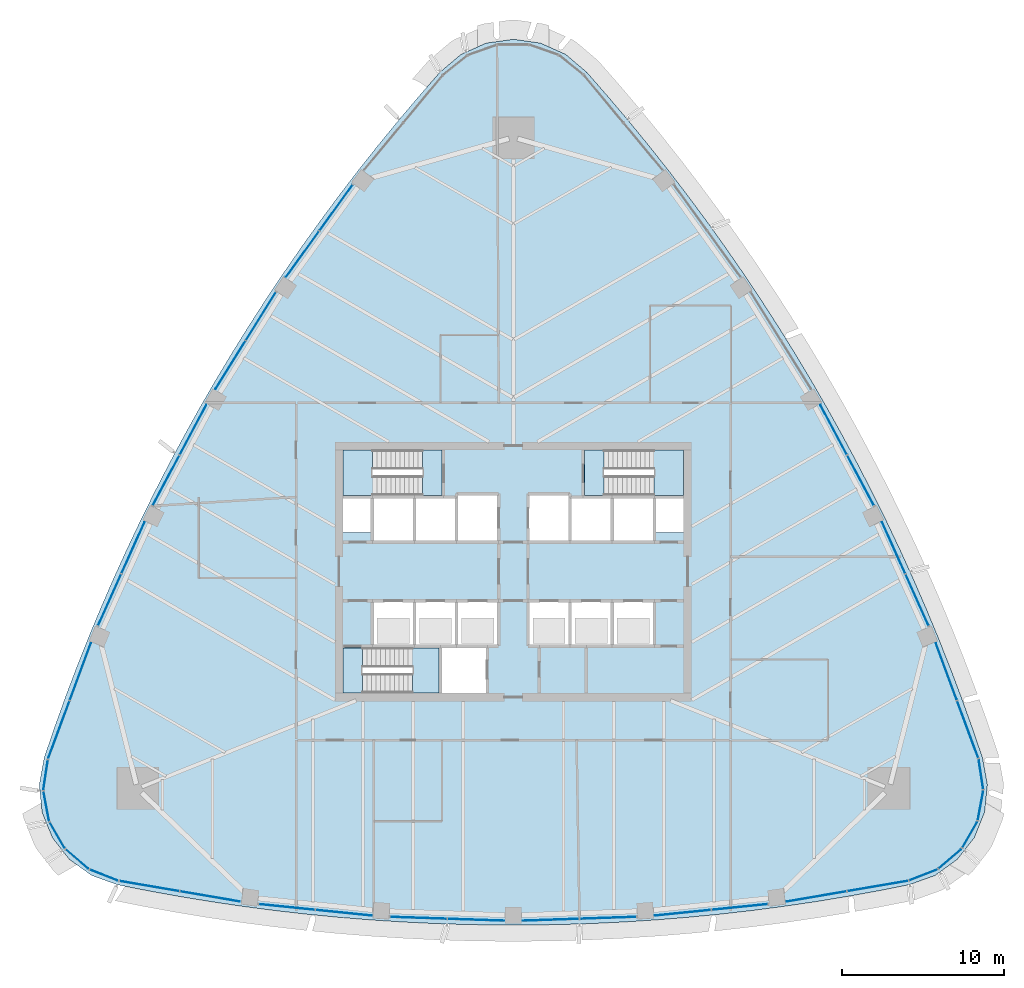
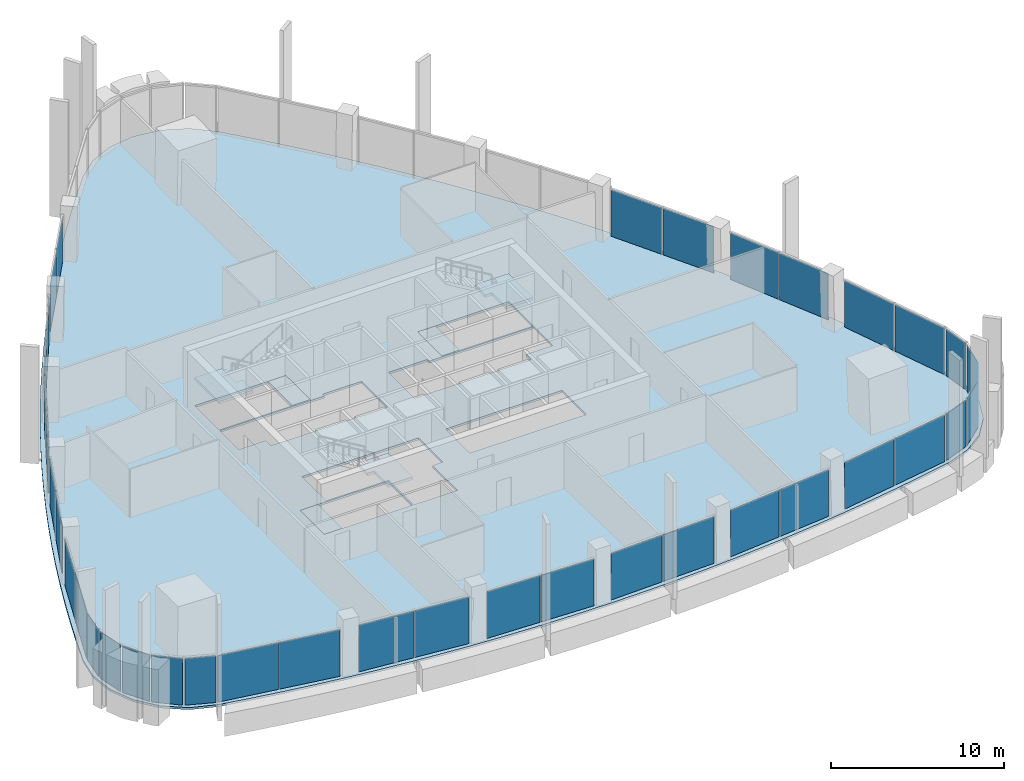
# One storey, part 8 of 19: 38 plates, 7 slabs, 27 elements without a shape of their own.
"""IFC4 building model written with IfcOpenShell, lengths in metres."""

import ifcopenshell
import ifcopenshell.guid

model = None  # the IFC model being written
_history = None  # IfcOwnerHistory: only IFC2X3 demands one
_inside = {}  # id of a spatial element -> (the spatial element, [elements in it])
_under = {}  # id of a project, library or spatial element -> (it, [spatial elements below it])
_declared = {}  # id of a project -> (the project, [libraries it declares])
_typed = {}  # id of a type object -> (the type object, [elements of that type])
_made_of = {}  # id of a material, layer set ... -> (it, [elements and type objects made of it])


def new_model(schema):
    """Start an empty IFC model of exactly this schema.

    Asked for "IFC4X3", IfcOpenShell would pick the latest addendum, in which some entities
    have other attributes; the version numbers below select the first issue.
    IFC2X3 requires an IfcOwnerHistory on every rooted entity: one is made here for all.
    """
    global model, _history
    if schema == "IFC4X3":
        model = ifcopenshell.file(schema_version=(4, 3, 0, 0))
    else:
        model = ifcopenshell.file(schema=schema)
    _inside.clear()
    _under.clear()
    _declared.clear()
    _typed.clear()
    _made_of.clear()
    _history = None
    if model.schema == "IFC2X3":
        org = make("IfcOrganization", Name="unknown")
        user = make(
            "IfcPersonAndOrganization",
            ThePerson=make("IfcPerson", FamilyName="unknown"),
            TheOrganization=org,
        )
        app = make(
            "IfcApplication",
            ApplicationDeveloper=org,
            Version="unknown",
            ApplicationFullName="unknown",
            ApplicationIdentifier="unknown",
        )
        _history = make(
            "IfcOwnerHistory",
            OwningUser=user,
            OwningApplication=app,
            ChangeAction="ADDED",
            CreationDate=0,
        )
    return model


def make(cls, **values):
    """One entity of the class cls with the attributes given. An attribute that is None is left unset."""
    return model.create_entity(
        cls, **{name: value for name, value in values.items() if value is not None}
    )


def rooted(cls, **values):
    """An entity with a GlobalId (a new one), such as an element, a storey or a relation."""
    return make(cls, GlobalId=ifcopenshell.guid.new(), OwnerHistory=_history, **values)


def si_unit(unit_type, name, prefix=None):
    """IfcSIUnit, for example si_unit("LENGTHUNIT", "METRE", prefix="MILLI")."""
    return make("IfcSIUnit", UnitType=unit_type, Prefix=prefix, Name=name)


def assignment(units):
    """IfcUnitAssignment: the units of a project."""
    return None if units is None else make("IfcUnitAssignment", Units=units)


def point(xyz):
    """IfcCartesianPoint."""
    return None if xyz is None else make("IfcCartesianPoint", Coordinates=xyz)


def direction(xyz):
    """IfcDirection."""
    return None if xyz is None else make("IfcDirection", DirectionRatios=xyz)


def frame(location, z_axis=None, x_axis=None):
    """IfcAxis2Placement3D, a coordinate frame: its origin and axes. An axis left out is left unset."""
    return make(
        "IfcAxis2Placement3D",
        Location=point(location),
        Axis=direction(z_axis),
        RefDirection=direction(x_axis),
    )


def frame_2d(location, x_axis=None):
    """IfcAxis2Placement2D, a coordinate frame in the plane: its origin and x axis."""
    return make(
        "IfcAxis2Placement2D", Location=point(location), RefDirection=direction(x_axis)
    )


def origin():
    """The frame at (0, 0, 0) with its axes left unset."""
    return frame((0.0, 0.0, 0.0))


def origin_2d():
    """The frame at (0, 0) in the plane with its x axis left unset."""
    return frame_2d((0.0, 0.0))


def place(relative_to, where):
    """IfcLocalPlacement: puts the frame where relative to a parent placement (None: the world)."""
    return make(
        "IfcLocalPlacement", PlacementRelTo=relative_to, RelativePlacement=where
    )


def context(
    kind, dimensions, precision=None, world=None, true_north=None, identifier=None
):
    """IfcGeometricRepresentationContext, for example the 3D "Model" context."""
    return make(
        "IfcGeometricRepresentationContext",
        ContextIdentifier=identifier,
        ContextType=kind,
        CoordinateSpaceDimension=dimensions,
        Precision=precision,
        WorldCoordinateSystem=world,
        TrueNorth=true_north,
    )


def subcontext(parent, identifier, kind, view, scale=None):
    """IfcGeometricRepresentationSubContext, for example "Body" below "Model"."""
    return make(
        "IfcGeometricRepresentationSubContext",
        ContextIdentifier=identifier,
        ContextType=kind,
        ParentContext=parent,
        TargetScale=scale,
        TargetView=view,
    )


def project(units=None, contexts=None):
    """IfcProject with its units and contexts."""
    return rooted(
        "IfcProject",
        Name="project",
        RepresentationContexts=contexts,
        UnitsInContext=assignment(units),
    )


def spatial(cls, under=None, at=None, **own):
    """A site, building, storey or space (cls), placed at a placement, below another one or the project."""
    s = rooted(cls, ObjectPlacement=at, **own)
    if under is not None:
        _under.setdefault(under.id(), (under, []))[1].append(s)
    return s


def polyline(points):
    """IfcPolyline through the points."""
    return make("IfcPolyline", Points=[point(p) for p in points])


def profile(cls, at=None, kind="AREA", **sizes):
    """A parametric profile (cls). Its sizes go by their IFC names, for example OverallWidth=200.0."""
    return make(cls, ProfileType=kind, Position=at, **sizes)


def rectangle(**sizes):
    """IfcRectangleProfileDef."""
    return profile("IfcRectangleProfileDef", **sizes)


def outline(outer, holes=None, kind="AREA"):
    """IfcArbitraryClosedProfileDef: a profile drawn as a closed curve; with holes, ...WithVoids."""
    if holes is None:
        return make("IfcArbitraryClosedProfileDef", ProfileType=kind, OuterCurve=outer)
    return make(
        "IfcArbitraryProfileDefWithVoids",
        ProfileType=kind,
        OuterCurve=outer,
        InnerCurves=holes,
    )


def extrude(swept, where, along, depth):
    """IfcExtrudedAreaSolid: the profile swept, set in the frame where, extruded along a direction by depth."""
    return make(
        "IfcExtrudedAreaSolid",
        SweptArea=swept,
        Position=where,
        ExtrudedDirection=direction(along),
        Depth=depth,
    )


def shape(context_of_items, identifier, shape_type, items):
    """IfcShapeRepresentation: the items that make up one representation, for example the "Body"."""
    return make(
        "IfcShapeRepresentation",
        ContextOfItems=context_of_items,
        RepresentationIdentifier=identifier,
        RepresentationType=shape_type,
        Items=items,
    )


def material(Name=None, Category=None):
    """IfcMaterial."""
    return make("IfcMaterial", Name=Name, Category=Category)


def layer(
    of_material, thickness, ventilated=None, Name=None, Category=None, Priority=None
):
    """IfcMaterialLayer: one layer of a wall or slab, of a material (None: an air gap)."""
    return make(
        "IfcMaterialLayer",
        Material=of_material,
        LayerThickness=thickness,
        IsVentilated=ventilated,
        Name=Name,
        Category=Category,
        Priority=Priority,
    )


def layer_set(layers, Name=None):
    """IfcMaterialLayerSet."""
    return make("IfcMaterialLayerSet", MaterialLayers=layers, LayerSetName=Name)


def made_of(thing, what):
    """Note that an element or type object is made of a material, layer set ...; save() writes the relation."""
    if what is not None:
        _made_of.setdefault(what.id(), (what, []))[1].append(thing)
    return thing


def type_object(cls, material=None, **own):
    """A type object (cls), such as IfcWallType, which elements share."""
    return made_of(rooted(cls, **own), material)


def element(
    cls,
    number,
    at=None,
    inside=None,
    cuts=None,
    type_object=None,
    material=None,
    context=None,
    identifier="Body",
    shape_type=None,
    held_by="IfcProductDefinitionShape",
    body=None,
    shapes=None,
    **own,
):
    """One element of the class cls, such as IfcWall. Its Tag is "e" and its number.

    at: its placement. inside: the storey or other place that contains it. cuts: it is an
    opening in that element (IfcRelVoidsElement). A single representation is given by context,
    identifier, shape_type and body (its items); several are given by shapes. held_by: the class
    of the entity that holds the representations. save() writes the other relations.
    """
    e = rooted(cls, Tag="e%d" % number, ObjectPlacement=at, **own)
    if body is not None:
        shapes = [shape(context, identifier, shape_type, body)]
    if shapes is not None:
        e.Representation = make(held_by, Representations=shapes)
    if inside is not None:
        _inside.setdefault(inside.id(), (inside, []))[1].append(e)
    if cuts is not None:
        rooted(
            "IfcRelVoidsElement", RelatingBuildingElement=cuts, RelatedOpeningElement=e
        )
    if type_object is not None:
        _typed.setdefault(type_object.id(), (type_object, []))[1].append(e)
    return made_of(e, material)


def aggregate(whole, parts):
    """IfcRelAggregates: a whole, such as a stair, and the parts it consists of."""
    return rooted("IfcRelAggregates", RelatingObject=whole, RelatedObjects=parts)


def save(model, path):
    """Write the relations noted so far, then the file.

    IfcRelAggregates (storeys below a building ...), IfcRelContainedInSpatialStructure (elements
    in a storey), IfcRelDefinesByType, IfcRelAssociatesMaterial and IfcRelDeclares: one each for
    every whole, place, type object, material and project.
    """
    for whole, parts in _under.values():
        aggregate(whole, parts)
    for where, things in _inside.values():
        rooted(
            "IfcRelContainedInSpatialStructure",
            RelatedElements=things,
            RelatingStructure=where,
        )
    for kind, things in _typed.values():
        rooted("IfcRelDefinesByType", RelatedObjects=things, RelatingType=kind)
    for what, things in _made_of.values():
        rooted("IfcRelAssociatesMaterial", RelatedObjects=things, RelatingMaterial=what)
    for by, libraries in _declared.values():
        rooted("IfcRelDeclares", RelatingContext=by, RelatedDefinitions=libraries)
    model.write(path)


model = new_model("IFC4")

# Units and contexts
model_context = context("Model", 3, precision=1e-05, world=origin(), true_north=direction((0.0, 1.0)))
body_context = subcontext(model_context, "Body", "Model", "MODEL_VIEW")
ifc_project = project(units=[si_unit("LENGTHUNIT", "METRE"), si_unit("AREAUNIT", "SQUARE_METRE"), si_unit("VOLUMEUNIT", "CUBIC_METRE"), si_unit("PLANEANGLEUNIT", "RADIAN"), si_unit("MASSUNIT", "GRAM", prefix="KILO")], contexts=[model_context])

# Site, building, storey
site_placement = place(None, origin())
site = spatial("IfcSite", under=ifc_project, at=site_placement, CompositionType="ELEMENT")
building_placement = place(site_placement, origin())
building = spatial("IfcBuilding", under=site, at=building_placement, Name="Sierra Prisma Convention Tower", CompositionType="ELEMENT")
storey_placement = place(building_placement, frame((0.0, 0.0, 193.800048828125)))
storey = spatial("IfcBuildingStorey", under=building, at=storey_placement, Name="L43", CompositionType="ELEMENT", Elevation=193.800048828125)

# Curtain wall, plates
ifc_material_1 = material(Name="Aluminium and glass curtain wall", Category="aluminium")
ifc_layer_1 = layer(ifc_material_1, 0.179931640625)
ifc_layer_set_1 = layer_set([ifc_layer_1], Name="CW-1 Plain shaft curtain wall")
curtain_wall_type = type_object("IfcCurtainWallType", Name="CW-1 Plain shaft curtain wall", PredefinedType="NOTDEFINED", material=ifc_layer_set_1)
curtain_wall_1_placement = place(storey_placement, origin())
curtain_wall_1 = element("IfcCurtainWall", 1, at=curtain_wall_1_placement, inside=storey, type_object=curtain_wall_type, Name="CW-1 S1 L43", PredefinedType="NOTDEFINED")
ifc_material_2 = material(Name="Tinted glass bronze-grey IGU", Category="glass")
ifc_layer_2 = layer(ifc_material_2, 0.028076171875)
ifc_layer_set_2 = layer_set([ifc_layer_2], Name="CW-1 glass panel")
plate_type = type_object("IfcPlateType", Name="CW-1 glass panel", PredefinedType="CURTAIN_PANEL", material=ifc_layer_set_2)
plate_1_placement = place(storey_placement, frame((-22.45068359375, -19.40087890625, 0.0), z_axis=(0.0, 0.0, 1.0), x_axis=(0.985690907983, -0.168562848575, 0.0)))
plate_1 = element("IfcPlate", 2, at=plate_1_placement, type_object=plate_type, Name="CW-1 panel S1.1", PredefinedType="CURTAIN_PANEL", context=body_context, shape_type="SweptSolid", body=[
    extrude(rectangle(XDim=3.732177734375, YDim=0.028076171875, at=origin_2d()), origin(), (0.0, 0.0, 1.0), 3.280029296875),
])
plate_2_placement = place(storey_placement, frame((-18.702880859375, -20.041748046875, 0.0), z_axis=(0.0, 0.0, 1.0), x_axis=(0.985690907983, -0.168562848575, 0.0)))
plate_2 = element("IfcPlate", 3, at=plate_2_placement, type_object=plate_type, Name="CW-1 panel S1.2", PredefinedType="CURTAIN_PANEL", context=body_context, shape_type="SweptSolid", body=[
    extrude(rectangle(XDim=3.732177734375, YDim=0.028076171875, at=origin_2d()), origin(), (0.0, 0.0, 1.0), 3.280029296875),
])
aggregate(curtain_wall_1, [plate_1, plate_2])

curtain_wall_2_placement = place(storey_placement, origin())
curtain_wall_2 = element("IfcCurtainWall", 4, at=curtain_wall_2_placement, inside=storey, type_object=curtain_wall_type, Name="CW-1 S2 L43", PredefinedType="NOTDEFINED")
plate_3_placement = place(storey_placement, frame((-13.969482421875, -20.690185546875, 0.0), z_axis=(0.0, 0.0, 1.0), x_axis=(0.994840837047, -0.101448060321, 0.0)))
plate_3 = element("IfcPlate", 5, at=plate_3_placement, type_object=plate_type, Name="CW-1 panel S2.1", PredefinedType="CURTAIN_PANEL", context=body_context, shape_type="SweptSolid", body=[
    extrude(rectangle(XDim=3.4599609375, YDim=0.028076171875, at=origin_2d()), origin(), (0.0, 0.0, 1.0), 3.280029296875),
])
plate_4_placement = place(storey_placement, frame((-10.457763671875, -21.04833984375, 0.0), z_axis=(0.0, 0.0, 1.0), x_axis=(0.994840837047, -0.101448060321, 0.0)))
plate_4 = element("IfcPlate", 6, at=plate_4_placement, type_object=plate_type, Name="CW-1 panel S2.2", PredefinedType="CURTAIN_PANEL", context=body_context, shape_type="SweptSolid", body=[
    extrude(rectangle(XDim=3.4599609375, YDim=0.028076171875, at=origin_2d()), origin(), (0.0, 0.0, 1.0), 3.280029296875),
])
aggregate(curtain_wall_2, [plate_3, plate_4])

curtain_wall_3_placement = place(storey_placement, origin())
curtain_wall_3 = element("IfcCurtainWall", 7, at=curtain_wall_3_placement, inside=storey, type_object=curtain_wall_type, Name="CW-1 S3 L43", PredefinedType="NOTDEFINED")
plate_5_placement = place(storey_placement, frame((-5.8505859375, -21.3603515625, 0.0), z_axis=(0.0, 0.0, 1.0), x_axis=(0.999426320946, -0.033867816597, 0.0)))
plate_5 = element("IfcPlate", 8, at=plate_5_placement, type_object=plate_type, Name="CW-1 panel S3.1", PredefinedType="CURTAIN_PANEL", context=body_context, shape_type="SweptSolid", body=[
    extrude(rectangle(XDim=3.475830078125, YDim=0.028076171875, at=origin_2d()), origin(), (0.0, 0.0, 1.0), 3.280029296875),
])
plate_6_placement = place(storey_placement, frame((-2.306640625, -21.48046875, 0.0), z_axis=(0.0, 0.0, 1.0), x_axis=(0.999426320946, -0.033867816597, 0.0)))
plate_6 = element("IfcPlate", 9, at=plate_6_placement, type_object=plate_type, Name="CW-1 panel S3.2", PredefinedType="CURTAIN_PANEL", context=body_context, shape_type="SweptSolid", body=[
    extrude(rectangle(XDim=3.475830078125, YDim=0.028076171875, at=origin_2d()), origin(), (0.0, 0.0, 1.0), 3.280029296875),
])
aggregate(curtain_wall_3, [plate_5, plate_6])

curtain_wall_4_placement = place(storey_placement, origin())
curtain_wall_4 = element("IfcCurtainWall", 10, at=curtain_wall_4_placement, inside=storey, type_object=curtain_wall_type, Name="CW-1 S4 L43", PredefinedType="NOTDEFINED")
plate_7_placement = place(storey_placement, frame((2.306640625, -21.48046875, 0.0), z_axis=(0.0, 0.0, 1.0), x_axis=(0.999426320946, 0.033867816597, 0.0)))
plate_7 = element("IfcPlate", 11, at=plate_7_placement, type_object=plate_type, Name="CW-1 panel S4.1", PredefinedType="CURTAIN_PANEL", context=body_context, shape_type="SweptSolid", body=[
    extrude(rectangle(XDim=3.475830078125, YDim=0.028076171875, at=origin_2d()), origin(), (0.0, 0.0, 1.0), 3.280029296875),
])
plate_8_placement = place(storey_placement, frame((5.8505859375, -21.3603515625, 0.0), z_axis=(0.0, 0.0, 1.0), x_axis=(0.999426320946, 0.033867816597, 0.0)))
plate_8 = element("IfcPlate", 12, at=plate_8_placement, type_object=plate_type, Name="CW-1 panel S4.2", PredefinedType="CURTAIN_PANEL", context=body_context, shape_type="SweptSolid", body=[
    extrude(rectangle(XDim=3.475830078125, YDim=0.028076171875, at=origin_2d()), origin(), (0.0, 0.0, 1.0), 3.280029296875),
])
aggregate(curtain_wall_4, [plate_7, plate_8])

curtain_wall_5_placement = place(storey_placement, origin())
curtain_wall_5 = element("IfcCurtainWall", 13, at=curtain_wall_5_placement, inside=storey, type_object=curtain_wall_type, Name="CW-1 S5 L43", PredefinedType="NOTDEFINED")
plate_9_placement = place(storey_placement, frame((10.457763671875, -21.04833984375, 0.0), z_axis=(0.0, 0.0, 1.0), x_axis=(0.994840837047, 0.101448060321, 0.0)))
plate_9 = element("IfcPlate", 14, at=plate_9_placement, type_object=plate_type, Name="CW-1 panel S5.1", PredefinedType="CURTAIN_PANEL", context=body_context, shape_type="SweptSolid", body=[
    extrude(rectangle(XDim=3.4599609375, YDim=0.028076171875, at=origin_2d()), origin(), (0.0, 0.0, 1.0), 3.280029296875),
])
plate_10_placement = place(storey_placement, frame((13.969482421875, -20.690185546875, 0.0), z_axis=(0.0, 0.0, 1.0), x_axis=(0.994840837047, 0.101448060321, 0.0)))
plate_10 = element("IfcPlate", 15, at=plate_10_placement, type_object=plate_type, Name="CW-1 panel S5.2", PredefinedType="CURTAIN_PANEL", context=body_context, shape_type="SweptSolid", body=[
    extrude(rectangle(XDim=3.4599609375, YDim=0.028076171875, at=origin_2d()), origin(), (0.0, 0.0, 1.0), 3.280029296875),
])
aggregate(curtain_wall_5, [plate_9, plate_10])

curtain_wall_6_placement = place(storey_placement, origin())
curtain_wall_6 = element("IfcCurtainWall", 16, at=curtain_wall_6_placement, inside=storey, type_object=curtain_wall_type, Name="CW-1 S6 L43", PredefinedType="NOTDEFINED")
plate_11_placement = place(storey_placement, frame((18.702880859375, -20.041748046875, 0.0), z_axis=(0.0, 0.0, 1.0), x_axis=(0.985690907983, 0.168562848575, 0.0)))
plate_11 = element("IfcPlate", 17, at=plate_11_placement, type_object=plate_type, Name="CW-1 panel S6.1", PredefinedType="CURTAIN_PANEL", context=body_context, shape_type="SweptSolid", body=[
    extrude(rectangle(XDim=3.732177734375, YDim=0.028076171875, at=origin_2d()), origin(), (0.0, 0.0, 1.0), 3.280029296875),
])
plate_12_placement = place(storey_placement, frame((22.45068359375, -19.40087890625, 0.0), z_axis=(0.0, 0.0, 1.0), x_axis=(0.985690907983, 0.168562848575, 0.0)))
plate_12 = element("IfcPlate", 18, at=plate_12_placement, type_object=plate_type, Name="CW-1 panel S6.2", PredefinedType="CURTAIN_PANEL", context=body_context, shape_type="SweptSolid", body=[
    extrude(rectangle(XDim=3.732177734375, YDim=0.028076171875, at=origin_2d()), origin(), (0.0, 0.0, 1.0), 3.280029296875),
])
aggregate(curtain_wall_6, [plate_11, plate_12])

# Curtain wall, plate
curtain_wall_7_placement = place(storey_placement, origin())
curtain_wall_7 = element("IfcCurtainWall", 19, at=curtain_wall_7_placement, inside=storey, type_object=curtain_wall_type, Name="CW-1 SE1 L43", PredefinedType="NOTDEFINED")
plate_13_placement = place(storey_placement, frame((25.267822265625, -18.719970703125, 0.0), z_axis=(0.0, 0.0, 1.0), x_axis=(0.931589119688, 0.363513015005, 0.0)))
plate_13 = element("IfcPlate", 20, at=plate_13_placement, type_object=plate_type, Name="CW-1 panel SE1.1", PredefinedType="CURTAIN_PANEL", context=body_context, shape_type="SweptSolid", body=[
    extrude(rectangle(XDim=1.81103515625, YDim=0.028076171875, at=origin_2d()), origin(), (0.0, 0.0, 1.0), 3.280029296875),
])
aggregate(curtain_wall_7, [plate_13])

curtain_wall_8_placement = place(storey_placement, origin())
curtain_wall_8 = element("IfcCurtainWall", 21, at=curtain_wall_8_placement, inside=storey, type_object=curtain_wall_type, Name="CW-1 SE2 L43", PredefinedType="NOTDEFINED")
plate_14_placement = place(storey_placement, frame((26.916748046875, -17.729736328125, 0.0), z_axis=(0.0, 0.0, 1.0), x_axis=(0.758611578552, 0.651543147372, 0.0)))
plate_14 = element("IfcPlate", 22, at=plate_14_placement, type_object=plate_type, Name="CW-1 panel SE2.1", PredefinedType="CURTAIN_PANEL", context=body_context, shape_type="SweptSolid", body=[
    extrude(rectangle(XDim=1.81103515625, YDim=0.028076171875, at=origin_2d()), origin(), (0.0, 0.0, 1.0), 3.280029296875),
])
aggregate(curtain_wall_8, [plate_14])

curtain_wall_9_placement = place(storey_placement, origin())
curtain_wall_9 = element("IfcCurtainWall", 23, at=curtain_wall_9_placement, inside=storey, type_object=curtain_wall_type, Name="CW-1 SE3 L43", PredefinedType="NOTDEFINED")
plate_15_placement = place(storey_placement, frame((28.14453125, -16.249267578125, 0.0), z_axis=(0.0, 0.0, 1.0), x_axis=(0.5, 0.866025403784, 0.0)))
plate_15 = element("IfcPlate", 24, at=plate_15_placement, type_object=plate_type, Name="CW-1 panel SE3.1", PredefinedType="CURTAIN_PANEL", context=body_context, shape_type="SweptSolid", body=[
    extrude(rectangle(XDim=1.81103515625, YDim=0.028076171875, at=origin_2d()), origin(), (0.0, 0.0, 1.0), 3.280029296875),
])
aggregate(curtain_wall_9, [plate_15])

curtain_wall_10_placement = place(storey_placement, origin())
curtain_wall_10 = element("IfcCurtainWall", 25, at=curtain_wall_10_placement, inside=storey, type_object=curtain_wall_type, Name="CW-1 SE4 L43", PredefinedType="NOTDEFINED")
plate_16_placement = place(storey_placement, frame((28.812744140625, -14.44580078125, 0.0), z_axis=(0.0, 0.0, 1.0), x_axis=(0.184947128009, 0.982748472317, 0.0)))
plate_16 = element("IfcPlate", 26, at=plate_16_placement, type_object=plate_type, Name="CW-1 panel SE4.1", PredefinedType="CURTAIN_PANEL", context=body_context, shape_type="SweptSolid", body=[
    extrude(rectangle(XDim=1.81103515625, YDim=0.028076171875, at=origin_2d()), origin(), (0.0, 0.0, 1.0), 3.280029296875),
])
aggregate(curtain_wall_10, [plate_16])

curtain_wall_11_placement = place(storey_placement, origin())
curtain_wall_11 = element("IfcCurtainWall", 27, at=curtain_wall_11_placement, inside=storey, type_object=curtain_wall_type, Name="CW-1 SE5 L43", PredefinedType="NOTDEFINED")
plate_17_placement = place(storey_placement, frame((28.845947265625, -12.522705078125, 0.0), z_axis=(0.0, 0.0, 1.0), x_axis=(-0.150983054244, 0.988536351042, 0.0)))
plate_17 = element("IfcPlate", 28, at=plate_17_placement, type_object=plate_type, Name="CW-1 panel SE5.1", PredefinedType="CURTAIN_PANEL", context=body_context, shape_type="SweptSolid", body=[
    extrude(rectangle(XDim=1.81103515625, YDim=0.028076171875, at=origin_2d()), origin(), (0.0, 0.0, 1.0), 3.280029296875),
])
aggregate(curtain_wall_11, [plate_17])

# Curtain wall, plates
curtain_wall_12_placement = place(storey_placement, origin())
curtain_wall_12 = element("IfcCurtainWall", 29, at=curtain_wall_12_placement, inside=storey, type_object=curtain_wall_type, Name="CW-1 NE1 L43", PredefinedType="NOTDEFINED")
plate_18_placement = place(storey_placement, frame((28.027099609375, -9.742431640625, 0.0), z_axis=(0.0, 0.0, 1.0), x_axis=(-0.346865744991, 0.93791479088, 0.0)))
plate_18 = element("IfcPlate", 30, at=plate_18_placement, type_object=plate_type, Name="CW-1 panel NE1.1", PredefinedType="CURTAIN_PANEL", context=body_context, shape_type="SweptSolid", body=[
    extrude(rectangle(XDim=3.732177734375, YDim=0.028076171875, at=origin_2d()), origin(), (0.0, 0.0, 1.0), 3.280029296875),
])
plate_19_placement = place(storey_placement, frame((26.708251953125, -6.17626953125, 0.0), z_axis=(0.0, 0.0, 1.0), x_axis=(-0.346865744991, 0.93791479088, 0.0)))
plate_19 = element("IfcPlate", 31, at=plate_19_placement, type_object=plate_type, Name="CW-1 panel NE1.2", PredefinedType="CURTAIN_PANEL", context=body_context, shape_type="SweptSolid", body=[
    extrude(rectangle(XDim=3.732177734375, YDim=0.028076171875, at=origin_2d()), origin(), (0.0, 0.0, 1.0), 3.280029296875),
])
aggregate(curtain_wall_12, [plate_18, plate_19])

curtain_wall_13_placement = place(storey_placement, origin())
curtain_wall_13 = element("IfcCurtainWall", 32, at=curtain_wall_13_placement, inside=storey, type_object=curtain_wall_type, Name="CW-1 NE2 L43", PredefinedType="NOTDEFINED")
plate_20_placement = place(storey_placement, frame((24.903076171875, -1.7529296875, 0.0), z_axis=(0.0, 0.0, 1.0), x_axis=(-0.409563821121, 0.912281467766, 0.0)))
plate_20 = element("IfcPlate", 33, at=plate_20_placement, type_object=plate_type, Name="CW-1 panel NE2.1", PredefinedType="CURTAIN_PANEL", context=body_context, shape_type="SweptSolid", body=[
    extrude(rectangle(XDim=3.4599609375, YDim=0.028076171875, at=origin_2d()), origin(), (0.0, 0.0, 1.0), 3.280029296875),
])
plate_21_placement = place(storey_placement, frame((23.457275390625, 1.467529296875, 0.0), z_axis=(0.0, 0.0, 1.0), x_axis=(-0.409563821121, 0.912281467766, 0.0)))
plate_21 = element("IfcPlate", 34, at=plate_21_placement, type_object=plate_type, Name="CW-1 panel NE2.2", PredefinedType="CURTAIN_PANEL", context=body_context, shape_type="SweptSolid", body=[
    extrude(rectangle(XDim=3.4599609375, YDim=0.028076171875, at=origin_2d()), origin(), (0.0, 0.0, 1.0), 3.280029296875),
])
aggregate(curtain_wall_13, [plate_20, plate_21])

curtain_wall_14_placement = place(storey_placement, origin())
curtain_wall_14 = element("IfcCurtainWall", 35, at=curtain_wall_14_placement, inside=storey, type_object=curtain_wall_type, Name="CW-1 NE3 L43", PredefinedType="NOTDEFINED")
plate_22_placement = place(storey_placement, frame((21.423828125, 5.61328125, 0.0), z_axis=(0.0, 0.0, 1.0), x_axis=(-0.470382770929, 0.882462491448, 0.0)))
plate_22 = element("IfcPlate", 36, at=plate_22_placement, type_object=plate_type, Name="CW-1 panel NE3.1", PredefinedType="CURTAIN_PANEL", context=body_context, shape_type="SweptSolid", body=[
    extrude(rectangle(XDim=3.47607421875, YDim=0.028076171875, at=origin_2d()), origin(), (0.0, 0.0, 1.0), 3.280029296875),
])
plate_23_placement = place(storey_placement, frame((19.755859375, 8.74267578125, 0.0), z_axis=(0.0, 0.0, 1.0), x_axis=(-0.470382770929, 0.882462491448, 0.0)))
plate_23 = element("IfcPlate", 37, at=plate_23_placement, type_object=plate_type, Name="CW-1 panel NE3.2", PredefinedType="CURTAIN_PANEL", context=body_context, shape_type="SweptSolid", body=[
    extrude(rectangle(XDim=3.47607421875, YDim=0.028076171875, at=origin_2d()), origin(), (0.0, 0.0, 1.0), 3.280029296875),
])
aggregate(curtain_wall_14, [plate_22, plate_23])

curtain_wall_15_placement = place(storey_placement, origin())
curtain_wall_15 = element("IfcCurtainWall", 38, at=curtain_wall_15_placement, inside=storey, type_object=curtain_wall_type, Name="CW-1 NW2 L43", PredefinedType="NOTDEFINED")
plate_24_placement = place(storey_placement, frame((-10.93359375, 22.443115234375, 0.0), z_axis=(0.0, 0.0, 1.0), x_axis=(-0.585277015926, -0.810833407445, 0.0)))
plate_24 = element("IfcPlate", 39, at=plate_24_placement, type_object=plate_type, Name="CW-1 panel NW2.1", PredefinedType="CURTAIN_PANEL", context=body_context, shape_type="SweptSolid", body=[
    extrude(rectangle(XDim=3.4599609375, YDim=0.028076171875, at=origin_2d()), origin(), (0.0, 0.0, 1.0), 3.280029296875),
])
plate_25_placement = place(storey_placement, frame((-12.99951171875, 19.580810546875, 0.0), z_axis=(0.0, 0.0, 1.0), x_axis=(-0.585277015926, -0.810833407445, 0.0)))
plate_25 = element("IfcPlate", 40, at=plate_25_placement, type_object=plate_type, Name="CW-1 panel NW2.2", PredefinedType="CURTAIN_PANEL", context=body_context, shape_type="SweptSolid", body=[
    extrude(rectangle(XDim=3.4599609375, YDim=0.028076171875, at=origin_2d()), origin(), (0.0, 0.0, 1.0), 3.280029296875),
])
aggregate(curtain_wall_15, [plate_24, plate_25])

curtain_wall_16_placement = place(storey_placement, origin())
curtain_wall_16 = element("IfcCurtainWall", 41, at=curtain_wall_16_placement, inside=storey, type_object=curtain_wall_type, Name="CW-1 NW3 L43", PredefinedType="NOTDEFINED")
plate_26_placement = place(storey_placement, frame((-15.5732421875, 15.746826171875, 0.0), z_axis=(0.0, 0.0, 1.0), x_axis=(-0.529043550017, -0.848594674851, 0.0)))
plate_26 = element("IfcPlate", 42, at=plate_26_placement, type_object=plate_type, Name="CW-1 panel NW3.1", PredefinedType="CURTAIN_PANEL", context=body_context, shape_type="SweptSolid", body=[
    extrude(rectangle(XDim=3.475830078125, YDim=0.028076171875, at=origin_2d()), origin(), (0.0, 0.0, 1.0), 3.280029296875),
])
plate_27_placement = place(storey_placement, frame((-17.44921875, 12.73779296875, 0.0), z_axis=(0.0, 0.0, 1.0), x_axis=(-0.529043550017, -0.848594674851, 0.0)))
plate_27 = element("IfcPlate", 43, at=plate_27_placement, type_object=plate_type, Name="CW-1 panel NW3.2", PredefinedType="CURTAIN_PANEL", context=body_context, shape_type="SweptSolid", body=[
    extrude(rectangle(XDim=3.475830078125, YDim=0.028076171875, at=origin_2d()), origin(), (0.0, 0.0, 1.0), 3.280029296875),
])
aggregate(curtain_wall_16, [plate_26, plate_27])

curtain_wall_17_placement = place(storey_placement, origin())
curtain_wall_17 = element("IfcCurtainWall", 44, at=curtain_wall_17_placement, inside=storey, type_object=curtain_wall_type, Name="CW-1 NW4 L43", PredefinedType="NOTDEFINED")
plate_28_placement = place(storey_placement, frame((-19.755859375, 8.74267578125, 0.0), z_axis=(0.0, 0.0, 1.0), x_axis=(-0.470382770929, -0.882462491448, 0.0)))
plate_28 = element("IfcPlate", 45, at=plate_28_placement, type_object=plate_type, Name="CW-1 panel NW4.1", PredefinedType="CURTAIN_PANEL", context=body_context, shape_type="SweptSolid", body=[
    extrude(rectangle(XDim=3.475830078125, YDim=0.028076171875, at=origin_2d()), origin(), (0.0, 0.0, 1.0), 3.280029296875),
])
plate_29_placement = place(storey_placement, frame((-21.423828125, 5.613525390625, 0.0), z_axis=(0.0, 0.0, 1.0), x_axis=(-0.470382770929, -0.882462491448, 0.0)))
plate_29 = element("IfcPlate", 46, at=plate_29_placement, type_object=plate_type, Name="CW-1 panel NW4.2", PredefinedType="CURTAIN_PANEL", context=body_context, shape_type="SweptSolid", body=[
    extrude(rectangle(XDim=3.475830078125, YDim=0.028076171875, at=origin_2d()), origin(), (0.0, 0.0, 1.0), 3.280029296875),
])
aggregate(curtain_wall_17, [plate_28, plate_29])

curtain_wall_18_placement = place(storey_placement, origin())
curtain_wall_18 = element("IfcCurtainWall", 47, at=curtain_wall_18_placement, inside=storey, type_object=curtain_wall_type, Name="CW-1 NW5 L43", PredefinedType="NOTDEFINED")
plate_30_placement = place(storey_placement, frame((-23.457275390625, 1.467529296875, 0.0), z_axis=(0.0, 0.0, 1.0), x_axis=(-0.409563821121, -0.912281467766, 0.0)))
plate_30 = element("IfcPlate", 48, at=plate_30_placement, type_object=plate_type, Name="CW-1 panel NW5.1", PredefinedType="CURTAIN_PANEL", context=body_context, shape_type="SweptSolid", body=[
    extrude(rectangle(XDim=3.4599609375, YDim=0.028076171875, at=origin_2d()), origin(), (0.0, 0.0, 1.0), 3.280029296875),
])
plate_31_placement = place(storey_placement, frame((-24.903076171875, -1.752685546875, 0.0), z_axis=(0.0, 0.0, 1.0), x_axis=(-0.409563821121, -0.912281467766, 0.0)))
plate_31 = element("IfcPlate", 49, at=plate_31_placement, type_object=plate_type, Name="CW-1 panel NW5.2", PredefinedType="CURTAIN_PANEL", context=body_context, shape_type="SweptSolid", body=[
    extrude(rectangle(XDim=3.4599609375, YDim=0.028076171875, at=origin_2d()), origin(), (0.0, 0.0, 1.0), 3.280029296875),
])
aggregate(curtain_wall_18, [plate_30, plate_31])

curtain_wall_19_placement = place(storey_placement, origin())
curtain_wall_19 = element("IfcCurtainWall", 50, at=curtain_wall_19_placement, inside=storey, type_object=curtain_wall_type, Name="CW-1 NW6 L43", PredefinedType="NOTDEFINED")
plate_32_placement = place(storey_placement, frame((-26.708251953125, -6.17626953125, 0.0), z_axis=(0.0, 0.0, 1.0), x_axis=(-0.346865744991, -0.93791479088, 0.0)))
plate_32 = element("IfcPlate", 51, at=plate_32_placement, type_object=plate_type, Name="CW-1 panel NW6.1", PredefinedType="CURTAIN_PANEL", context=body_context, shape_type="SweptSolid", body=[
    extrude(rectangle(XDim=3.732177734375, YDim=0.028076171875, at=origin_2d()), origin(), (0.0, 0.0, 1.0), 3.280029296875),
])
plate_33_placement = place(storey_placement, frame((-28.027099609375, -9.742431640625, 0.0), z_axis=(0.0, 0.0, 1.0), x_axis=(-0.346865744991, -0.93791479088, 0.0)))
plate_33 = element("IfcPlate", 52, at=plate_33_placement, type_object=plate_type, Name="CW-1 panel NW6.2", PredefinedType="CURTAIN_PANEL", context=body_context, shape_type="SweptSolid", body=[
    extrude(rectangle(XDim=3.732177734375, YDim=0.028076171875, at=origin_2d()), origin(), (0.0, 0.0, 1.0), 3.280029296875),
])
aggregate(curtain_wall_19, [plate_32, plate_33])

# Curtain wall, plate
curtain_wall_20_placement = place(storey_placement, origin())
curtain_wall_20 = element("IfcCurtainWall", 53, at=curtain_wall_20_placement, inside=storey, type_object=curtain_wall_type, Name="CW-1 SW1 L43", PredefinedType="NOTDEFINED")
plate_34_placement = place(storey_placement, frame((-28.845947265625, -12.522705078125, 0.0), z_axis=(0.0, 0.0, 1.0), x_axis=(-0.150983054244, -0.988536351042, 0.0)))
plate_34 = element("IfcPlate", 54, at=plate_34_placement, type_object=plate_type, Name="CW-1 panel SW1.1", PredefinedType="CURTAIN_PANEL", context=body_context, shape_type="SweptSolid", body=[
    extrude(rectangle(XDim=1.81103515625, YDim=0.028076171875, at=origin_2d()), origin(), (0.0, 0.0, 1.0), 3.280029296875),
])
aggregate(curtain_wall_20, [plate_34])

curtain_wall_21_placement = place(storey_placement, origin())
curtain_wall_21 = element("IfcCurtainWall", 55, at=curtain_wall_21_placement, inside=storey, type_object=curtain_wall_type, Name="CW-1 SW2 L43", PredefinedType="NOTDEFINED")
plate_35_placement = place(storey_placement, frame((-28.812744140625, -14.44580078125, 0.0), z_axis=(0.0, 0.0, 1.0), x_axis=(0.184947128009, -0.982748472317, 0.0)))
plate_35 = element("IfcPlate", 56, at=plate_35_placement, type_object=plate_type, Name="CW-1 panel SW2.1", PredefinedType="CURTAIN_PANEL", context=body_context, shape_type="SweptSolid", body=[
    extrude(rectangle(XDim=1.81103515625, YDim=0.028076171875, at=origin_2d()), origin(), (0.0, 0.0, 1.0), 3.280029296875),
])
aggregate(curtain_wall_21, [plate_35])

curtain_wall_22_placement = place(storey_placement, origin())
curtain_wall_22 = element("IfcCurtainWall", 57, at=curtain_wall_22_placement, inside=storey, type_object=curtain_wall_type, Name="CW-1 SW3 L43", PredefinedType="NOTDEFINED")
plate_36_placement = place(storey_placement, frame((-28.14453125, -16.249267578125, 0.0), z_axis=(0.0, 0.0, 1.0), x_axis=(0.5, -0.866025403784, 0.0)))
plate_36 = element("IfcPlate", 58, at=plate_36_placement, type_object=plate_type, Name="CW-1 panel SW3.1", PredefinedType="CURTAIN_PANEL", context=body_context, shape_type="SweptSolid", body=[
    extrude(rectangle(XDim=1.81103515625, YDim=0.028076171875, at=origin_2d()), origin(), (0.0, 0.0, 1.0), 3.280029296875),
])
aggregate(curtain_wall_22, [plate_36])

curtain_wall_23_placement = place(storey_placement, origin())
curtain_wall_23 = element("IfcCurtainWall", 59, at=curtain_wall_23_placement, inside=storey, type_object=curtain_wall_type, Name="CW-1 SW4 L43", PredefinedType="NOTDEFINED")
plate_37_placement = place(storey_placement, frame((-26.916748046875, -17.729736328125, 0.0), z_axis=(0.0, 0.0, 1.0), x_axis=(0.758611578552, -0.651543147372, 0.0)))
plate_37 = element("IfcPlate", 60, at=plate_37_placement, type_object=plate_type, Name="CW-1 panel SW4.1", PredefinedType="CURTAIN_PANEL", context=body_context, shape_type="SweptSolid", body=[
    extrude(rectangle(XDim=1.81103515625, YDim=0.028076171875, at=origin_2d()), origin(), (0.0, 0.0, 1.0), 3.280029296875),
])
aggregate(curtain_wall_23, [plate_37])

curtain_wall_24_placement = place(storey_placement, origin())
curtain_wall_24 = element("IfcCurtainWall", 61, at=curtain_wall_24_placement, inside=storey, type_object=curtain_wall_type, Name="CW-1 SW5 L43", PredefinedType="NOTDEFINED")
plate_38_placement = place(storey_placement, frame((-25.267822265625, -18.719970703125, 0.0), z_axis=(0.0, 0.0, 1.0), x_axis=(0.931589119688, -0.363513015005, 0.0)))
plate_38 = element("IfcPlate", 62, at=plate_38_placement, type_object=plate_type, Name="CW-1 panel SW5.1", PredefinedType="CURTAIN_PANEL", context=body_context, shape_type="SweptSolid", body=[
    extrude(rectangle(XDim=1.81103515625, YDim=0.028076171875, at=origin_2d()), origin(), (0.0, 0.0, 1.0), 3.280029296875),
])
aggregate(curtain_wall_24, [plate_38])

# Slab
ifc_material_3 = material(Name="Concrete C35/45", Category="concrete")
ifc_layer_3 = layer(ifc_material_3, 0.14990234375)
ifc_layer_set_3 = layer_set([ifc_layer_3], Name="Composite floor slab 150")
slab_type_1 = type_object("IfcSlabType", Name="Composite floor slab 150", PredefinedType="FLOOR", material=ifc_layer_set_3)
slab_1_placement = place(storey_placement, frame((0.0, 0.0, -0.150146484375)))
element("IfcSlab", 63, at=slab_1_placement, inside=storey, type_object=slab_type_1, Name="Floor slab L43 floor", PredefinedType="FLOOR", context=body_context, shape_type="SweptSolid", body=[
    extrude(outline(polyline([(-24.409423828125, -19.3193359375), (-22.48046875, -19.70068359375), (-20.545654296875, -20.050537109375), (-18.60546875, -20.36865234375), (-16.66015625, -20.655517578125), (-14.71044921875, -20.910400390625), (-12.757080078125, -21.1337890625), (-10.800048828125, -21.325439453125), (-8.84033203125, -21.485107421875), (-6.878173828125, -21.61279296875), (-4.914306640625, -21.708740234375), (-2.94921875, -21.772705078125), (-0.983154296875, -21.8046875), (0.983154296875, -21.8046875), (2.94921875, -21.772705078125), (4.914306640625, -21.708740234375), (6.878173828125, -21.61279296875), (8.84033203125, -21.485107421875), (10.800048828125, -21.325439453125), (12.757080078125, -21.1337890625), (14.71044921875, -20.910400390625), (16.66015625, -20.655517578125), (18.60546875, -20.36865234375), (20.545654296875, -20.050537109375), (22.48046875, -19.70068359375), (24.409423828125, -19.3193359375), (26.008544921875, -18.746826171875), (27.385498046875, -17.752685546875), (28.4326171875, -16.41552734375), (29.067138671875, -14.840087890625), (29.239501953125, -13.150634765625), (28.935791015625, -11.4794921875), (28.301513671875, -9.618408203125), (27.636962890625, -7.767822265625), (26.942626953125, -5.928466796875), (26.21826171875, -4.100341796875), (25.46435546875, -2.284423828125), (24.680908203125, -0.48095703125), (23.868408203125, 1.3095703125), (23.026611328125, 3.086669921875), (22.15625, 4.849609375), (21.25732421875, 6.598388671875), (20.330078125, 8.332275390625), (19.375, 10.05078125), (18.391845703125, 11.753662109375), (17.381103515625, 13.4404296875), (16.343017578125, 15.1103515625), (15.278076171875, 16.76318359375), (14.186279296875, 18.3984375), (13.068115234375, 20.015869140625), (11.923828125, 21.61474609375), (10.753662109375, 23.19482421875), (9.55810546875, 24.755859375), (8.337158203125, 26.297119140625), (7.09130859375, 27.818359375), (5.821044921875, 29.319091796875), (4.5263671875, 30.799072265625), (3.23095703125, 31.8974609375), (1.681640625, 32.593017578125), (0.0, 32.8310546875), (-1.681640625, 32.593017578125), (-3.23095703125, 31.8974609375), (-4.5263671875, 30.799072265625), (-5.821044921875, 29.319091796875), (-7.09130859375, 27.818359375), (-8.337158203125, 26.297119140625), (-9.55810546875, 24.755859375), (-10.753662109375, 23.19482421875), (-11.923828125, 21.61474609375), (-13.068115234375, 20.015869140625), (-14.186279296875, 18.3984375), (-15.278076171875, 16.76318359375), (-16.343017578125, 15.1103515625), (-17.381103515625, 13.4404296875), (-18.391845703125, 11.753662109375), (-19.375, 10.05078125), (-20.330078125, 8.332275390625), (-21.25732421875, 6.598388671875), (-22.15625, 4.849609375), (-23.026611328125, 3.086669921875), (-23.868408203125, 1.3095703125), (-24.680908203125, -0.48095703125), (-25.46435546875, -2.284423828125), (-26.21826171875, -4.100341796875), (-26.942626953125, -5.928466796875), (-27.636962890625, -7.767822265625), (-28.301513671875, -9.618408203125), (-28.935791015625, -11.4794921875), (-29.239501953125, -13.150634765625), (-29.067138671875, -14.840087890625), (-28.4326171875, -16.41552734375), (-27.385498046875, -17.752685546875), (-26.008544921875, -18.746826171875), (-24.409423828125, -19.3193359375)]), holes=[polyline([(-4.60009765625, -7.5), (-10.5, -7.5), (-10.5, -4.699951171875), (-4.60009765625, -4.699951171875), (-4.60009765625, -7.5)]), polyline([(-8.699951171875, -4.60009765625), (-8.699951171875, -1.800048828125), (-6.10009765625, -1.800048828125), (-3.5, -1.800048828125), (-0.89990234375, -1.800048828125), (-0.89990234375, -4.60009765625), (-1.60009765625, -4.60009765625), (-1.60009765625, -7.5), (-4.5, -7.5), (-4.5, -4.60009765625), (-6.10009765625, -4.60009765625), (-8.699951171875, -4.60009765625)]), polyline([(-10.5, 4.60009765625), (-8.699951171875, 4.60009765625), (-6.10009765625, 4.60009765625), (-3.5, 4.60009765625), (-3.5, 4.800048828125), (-0.89990234375, 4.800048828125), (-0.89990234375, 1.800048828125), (-3.5, 1.800048828125), (-6.10009765625, 1.800048828125), (-8.699951171875, 1.800048828125), (-8.699951171875, 2.39990234375), (-10.5, 2.39990234375), (-10.5, 4.60009765625)]), polyline([(-10.5, 4.699951171875), (-10.5, 7.5), (-4.39990234375, 7.5), (-4.39990234375, 4.699951171875), (-10.5, 4.699951171875)]), polyline([(6.10009765625, -1.800048828125), (8.699951171875, -1.800048828125), (8.699951171875, -4.60009765625), (6.10009765625, -4.60009765625), (3.5, -4.60009765625), (0.89990234375, -4.60009765625), (0.89990234375, -1.800048828125), (3.5, -1.800048828125), (6.10009765625, -1.800048828125)]), polyline([(8.699951171875, 4.60009765625), (10.5, 4.60009765625), (10.5, 2.39990234375), (8.699951171875, 2.39990234375), (8.699951171875, 1.800048828125), (6.10009765625, 1.800048828125), (3.5, 1.800048828125), (0.89990234375, 1.800048828125), (0.89990234375, 4.800048828125), (3.5, 4.800048828125), (3.5, 4.60009765625), (6.10009765625, 4.60009765625), (8.699951171875, 4.60009765625)]), polyline([(4.39990234375, 4.699951171875), (4.39990234375, 7.5), (10.5, 7.5), (10.5, 4.699951171875), (4.39990234375, 4.699951171875)])]), origin(), (0.0, 0.0, 1.0), 0.150146484375),
])

# Stair, slab
ifc_material_4 = material(Name="Concrete C30/37", Category="concrete")
stair_type = type_object("IfcStairType", Name="Stair dog-leg 1200 RC", PredefinedType="HALF_TURN_STAIR", material=ifc_material_4)
stair_1_placement = place(storey_placement, origin())
stair_1 = element("IfcStair", 64, at=stair_1_placement, inside=storey, type_object=stair_type, Name="L43 S1", PredefinedType="HALF_TURN_STAIR")
ifc_material_5 = material(Name="Concrete C35/45", Category="concrete")
ifc_layer_4 = layer(ifc_material_5, 0.199951171875)
ifc_layer_set_4 = layer_set([ifc_layer_4], Name="Stair landing slab")
slab_type_2 = type_object("IfcSlabType", Name="Stair landing slab", PredefinedType="LANDING", material=ifc_layer_set_4)
slab_2_placement = place(storey_placement, frame((0.0, 0.0, 1.800048828125)))
slab_2 = element("IfcSlab", 65, at=slab_2_placement, type_object=slab_type_2, Name="S1 landing 1", PredefinedType="LANDING", context=body_context, shape_type="SweptSolid", body=[
    extrude(outline(polyline([(-4.60009765625, -4.699951171875), (-4.60009765625, -7.5), (-6.221923828125, -7.5), (-6.221923828125, -5.89990234375), (-6.669921875, -5.89990234375), (-6.669921875, -4.699951171875), (-4.60009765625, -4.699951171875)])), origin(), (0.0, 0.0, 1.0), 0.199951171875),
])
aggregate(stair_1, [slab_2])

# Slab
slab_3_placement = place(storey_placement, frame((0.0, 0.0, -0.199951171875)))
element("IfcSlab", 66, at=slab_3_placement, inside=storey, type_object=slab_type_2, Name="S1 floor landing L43", PredefinedType="LANDING", context=body_context, shape_type="SweptSolid", body=[
    extrude(outline(polyline([(-10.5, -7.5), (-9.298095703125, -7.5), (-9.298095703125, -4.699951171875), (-10.5, -4.699951171875), (-10.5, -7.5)])), origin(), (0.0, 0.0, 1.0), 0.199951171875),
])

# Stair, slab
stair_2_placement = place(storey_placement, origin())
stair_2 = element("IfcStair", 67, at=stair_2_placement, inside=storey, type_object=stair_type, Name="L43 S3", PredefinedType="HALF_TURN_STAIR")
slab_4_placement = place(storey_placement, frame((0.0, 0.0, 1.800048828125)))
slab_4 = element("IfcSlab", 68, at=slab_4_placement, type_object=slab_type_2, Name="S3 landing 1", PredefinedType="LANDING", context=body_context, shape_type="SweptSolid", body=[
    extrude(outline(polyline([(-8.22998046875, 5.89990234375), (-8.22998046875, 4.699951171875), (-10.5, 4.699951171875), (-10.5, 7.5), (-8.677978515625, 7.5), (-8.677978515625, 5.89990234375), (-8.22998046875, 5.89990234375)])), origin(), (0.0, 0.0, 1.0), 0.199951171875),
])
aggregate(stair_2, [slab_4])

# Slab
slab_5_placement = place(storey_placement, frame((0.0, 0.0, -0.199951171875)))
element("IfcSlab", 69, at=slab_5_placement, inside=storey, type_object=slab_type_2, Name="S3 floor landing L43", PredefinedType="LANDING", context=body_context, shape_type="SweptSolid", body=[
    extrude(outline(polyline([(-4.39990234375, 7.5), (-5.60205078125, 7.5), (-5.60205078125, 4.699951171875), (-4.39990234375, 4.699951171875), (-4.39990234375, 7.5)])), origin(), (0.0, 0.0, 1.0), 0.199951171875),
])

# Stair, slab
stair_3_placement = place(storey_placement, origin())
stair_3 = element("IfcStair", 70, at=stair_3_placement, inside=storey, type_object=stair_type, Name="L43 S4", PredefinedType="HALF_TURN_STAIR")
slab_6_placement = place(storey_placement, frame((0.0, 0.0, 1.800048828125)))
slab_6 = element("IfcSlab", 71, at=slab_6_placement, type_object=slab_type_2, Name="S4 landing 1", PredefinedType="LANDING", context=body_context, shape_type="SweptSolid", body=[
    extrude(outline(polyline([(10.5, 7.5), (10.5, 4.699951171875), (8.677978515625, 4.699951171875), (8.677978515625, 6.300048828125), (8.22998046875, 6.300048828125), (8.22998046875, 7.5), (10.5, 7.5)])), origin(), (0.0, 0.0, 1.0), 0.199951171875),
])
aggregate(stair_3, [slab_6])

# Slab
slab_7_placement = place(storey_placement, frame((0.0, 0.0, -0.199951171875)))
element("IfcSlab", 72, at=slab_7_placement, inside=storey, type_object=slab_type_2, Name="S4 floor landing L43", PredefinedType="LANDING", context=body_context, shape_type="SweptSolid", body=[
    extrude(outline(polyline([(4.39990234375, 4.699951171875), (5.60205078125, 4.699951171875), (5.60205078125, 7.5), (4.39990234375, 7.5), (4.39990234375, 4.699951171875)])), origin(), (0.0, 0.0, 1.0), 0.199951171875),
])

save(model, "model.ifc")
